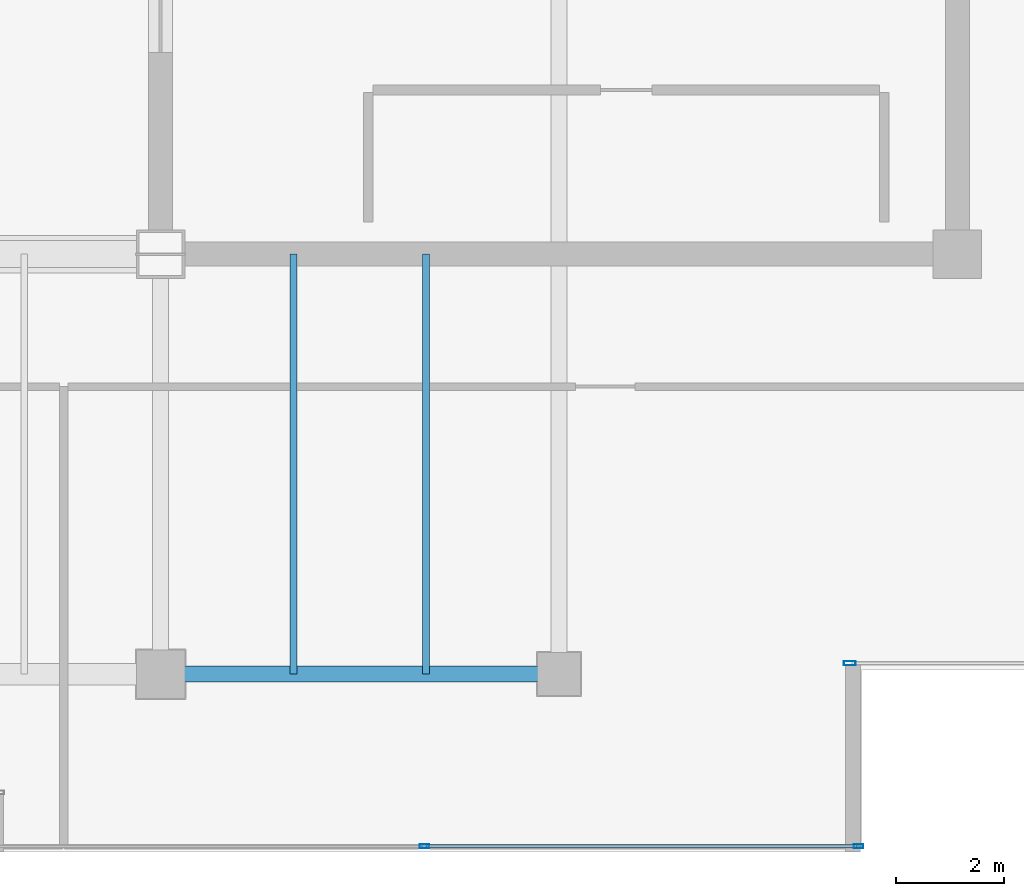
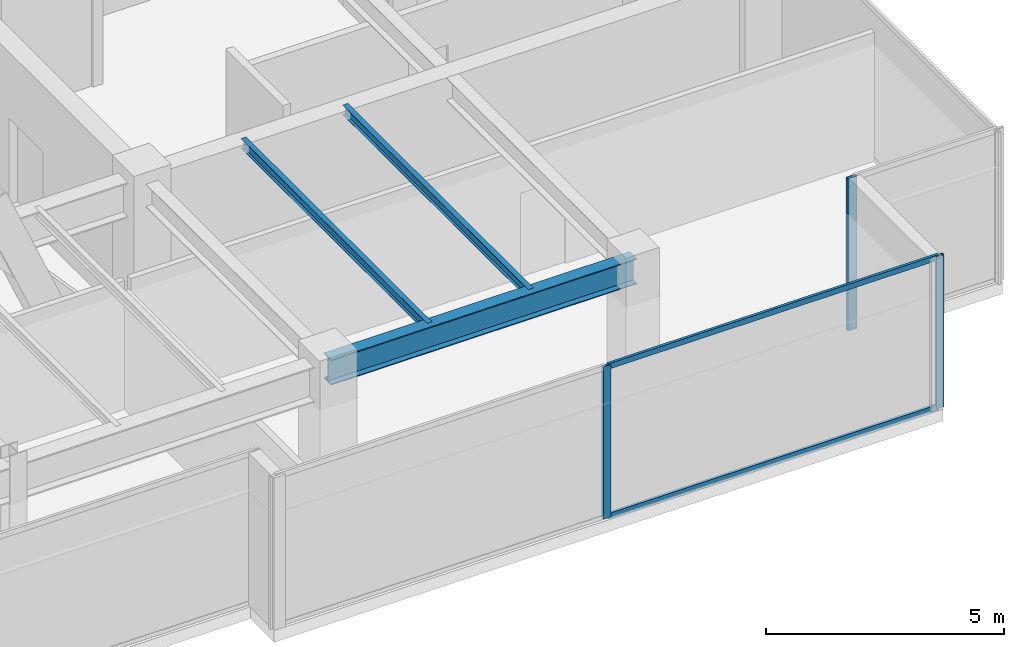
# One storey, part 13 of 32: 5 members, 3 beams, 2 elements without a shape of their own.
"""IFC4 building model written with IfcOpenShell, lengths in metres."""

from ifc_helpers import new_model, si_unit, direction, frame, origin, origin_2d, place, context, subcontext, project, spatial, hollow_rectangle, i_section, extrude, source, transform, mapped, material, layer, layer_set, material_profile, profile_set, type_object, type_shapes, element, aggregate, save


model = new_model("IFC4")

# Units and contexts
model_context = context("Model", 3, precision=1e-05, world=origin(), true_north=direction((0.0, 1.0)))
body_context = subcontext(model_context, "Body", "Model", "MODEL_VIEW")
ifc_project = project(units=[si_unit("LENGTHUNIT", "METRE"), si_unit("AREAUNIT", "SQUARE_METRE"), si_unit("VOLUMEUNIT", "CUBIC_METRE"), si_unit("PLANEANGLEUNIT", "RADIAN"), si_unit("MASSUNIT", "GRAM", prefix="KILO")], contexts=[model_context])

# Site, building, storey
site_placement = place(None, origin())
site = spatial("IfcSite", under=ifc_project, at=site_placement, CompositionType="ELEMENT")
building_placement = place(site_placement, origin())
building = spatial("IfcBuilding", under=site, at=building_placement, Name="Haelvirn Gate Laboratories", CompositionType="ELEMENT")
storey_placement = place(building_placement, frame((0.0, 0.0, 301.800048828125)))
storey = spatial("IfcBuildingStorey", under=building, at=storey_placement, Name="L72", CompositionType="ELEMENT", Elevation=301.800048828125)

# Beams
ifc_material_1 = material(Name="Steel SM355", Category="steel")
ifc_material_profile_1 = material_profile(ifc_material_1, i_section(OverallWidth=0.300048828125, OverallDepth=0.64990234375, WebThickness=0.012939453125, FlangeThickness=0.02197265625, at=origin_2d()), Name="H-650x300x13x22")
ifc_profile_set_1 = profile_set([ifc_material_profile_1], Name="Steel SM355")
beam_type_1 = type_object("IfcBeamType", Name="BM-G-650", PredefinedType="BEAM", material=ifc_profile_set_1)
shared_shape_1 = source(origin(), body_context, "Body", "SweptSolid", [
    extrude(i_section(OverallWidth=0.300048828125, OverallDepth=0.64990234375, WebThickness=0.012939453125, FlangeThickness=0.02197265625, at=origin_2d()), origin(), (0.0, 0.0, 1.0), 7.39990234375),
])
type_shapes(beam_type_1, [shared_shape_1])
beam_placement = place(storey_placement, frame((52.60009765625, 7.0, 3.574951171875), z_axis=(1.0, 0.0, 0.0), x_axis=(0.0, 1.0, 0.0)))
element("IfcBeam", 1, at=beam_placement, inside=storey, type_object=beam_type_1, Name="L72 Primary Girder Y7.0 (52.6-60.0)", PredefinedType="BEAM", context=body_context, shape_type="MappedRepresentation", body=[
    mapped(shared_shape_1, transform((0.0, 0.0, 0.0), scale=1.0)),
])
ifc_material_profile_2 = material_profile(ifc_material_1, i_section(OverallWidth=0.125, OverallDepth=0.25, WebThickness=0.006103515625, FlangeThickness=0.009033203125, at=origin_2d()), Name="H-250x125x6x9")
ifc_profile_set_2 = profile_set([ifc_material_profile_2], Name="Steel SM355")
beam_type_2 = type_object("IfcBeamType", Name="BM-J-250", PredefinedType="JOIST", material=ifc_profile_set_2)
shared_shape_2 = source(origin(), body_context, "Body", "SweptSolid", [
    extrude(i_section(OverallWidth=0.125, OverallDepth=0.25, WebThickness=0.006103515625, FlangeThickness=0.009033203125, at=origin_2d()), origin(), (0.0, 0.0, 1.0), 7.800048828125),
])
type_shapes(beam_type_2, [shared_shape_2])
for number, where, z_axis, x_axis, name in (
    (2, (55.070068359375, 7.0, 3.77490234375), (0.0, 1.0, 0.0), (-1.0, 0.0, 0.0), "L72 Composite Lab Joist South X55.07"),
    (3, (57.530029296875, 7.0, 3.77490234375), (0.0, 1.0, 0.0), (-1.0, 0.0, 0.0), "L72 Composite Lab Joist South X57.53"),
):
    element("IfcBeam", number, at=place(storey_placement, frame(where, z_axis=z_axis, x_axis=x_axis)), inside=storey, type_object=beam_type_2, Name=name, PredefinedType="JOIST", context=body_context, shape_type="MappedRepresentation", body=[
        mapped(shared_shape_2, transform((0.0, 0.0, 0.0), scale=1.0)),
    ])

# Curtain wall, members
ifc_material_2 = material(Name="Anodised bronze unitised aluminium & triple low-E glass", Category="aluminium")
ifc_layer_1 = layer(ifc_material_2, 0.176025390625, Name="CW-SYS-4")
ifc_layer_set_1 = layer_set([ifc_layer_1], Name="Anodised bronze unitised aluminium & triple low-E glass")
curtain_wall_type_1 = type_object("IfcCurtainWallType", Name="CW-SYS-4", PredefinedType="NOTDEFINED", material=ifc_layer_set_1)
curtain_wall_1_placement = place(storey_placement, origin())
curtain_wall_1 = element("IfcCurtainWall", 4, at=curtain_wall_1_placement, inside=storey, type_object=curtain_wall_type_1, Name="L72 Unitised Curtain Wall CW-L72-P0-E04-1", PredefinedType="NOTDEFINED")
ifc_material_3 = material(Name="Extruded aluminium 6063-T6 (anodised bronze)", Category="aluminium")
ifc_material_profile_3 = material_profile(ifc_material_3, hollow_rectangle(XDim=0.070068359375, YDim=0.179931640625, WallThickness=0.0048828125, at=origin_2d()), Name="CWM-180x70x5")
ifc_profile_set_3 = profile_set([ifc_material_profile_3], Name="Extruded aluminium 6063-T6 (anodised bronze)")
member_type_1 = type_object("IfcMemberType", Name="CWM-T180", PredefinedType="MULLION", material=ifc_profile_set_3)
shared_shape_3 = source(origin(), body_context, "Body", "SweptSolid", [
    extrude(hollow_rectangle(XDim=0.070068359375, YDim=0.179931640625, WallThickness=0.0048828125, at=origin_2d()), origin(), (0.0, 0.0, 1.0), 3.89990234375),
])
type_shapes(member_type_1, [shared_shape_3])
member_1_placement = place(storey_placement, frame((57.5, 3.800048828125, 0.0), z_axis=(0.0, 0.0, 1.0), x_axis=(0.0, 1.0, 0.0)))
member_1 = element("IfcMember", 5, at=member_1_placement, type_object=member_type_1, Name="CW4 mullion 2", PredefinedType="MULLION", context=body_context, shape_type="MappedRepresentation", body=[
    mapped(shared_shape_3, transform((0.0, 0.0, 0.0), scale=1.0)),
])
member_2_placement = place(storey_placement, frame((65.56494140625, 3.800048828125, 0.0), z_axis=(0.0, 0.0, 1.0), x_axis=(0.0, 1.0, 0.0)))
member_2 = element("IfcMember", 6, at=member_2_placement, type_object=member_type_1, Name="CW4 mullion 3", PredefinedType="MULLION", context=body_context, shape_type="MappedRepresentation", body=[
    mapped(shared_shape_3, transform((0.0, 0.0, 0.0), scale=1.0)),
])

# Curtain wall, member
ifc_layer_2 = layer(ifc_material_2, 0.181884765625, Name="CW-SYS-5")
ifc_layer_set_2 = layer_set([ifc_layer_2], Name="Anodised bronze unitised aluminium & triple low-E glass")
curtain_wall_type_2 = type_object("IfcCurtainWallType", Name="CW-SYS-5", PredefinedType="NOTDEFINED", material=ifc_layer_set_2)
curtain_wall_2_placement = place(storey_placement, origin())
curtain_wall_2 = element("IfcCurtainWall", 7, at=curtain_wall_2_placement, inside=storey, type_object=curtain_wall_type_2, Name="L72 Unitised Curtain Wall CW-L72-P0-E06-1", PredefinedType="NOTDEFINED")
ifc_material_profile_4 = material_profile(ifc_material_3, hollow_rectangle(XDim=0.080078125, YDim=0.219970703125, WallThickness=0.006103515625, at=origin_2d()), Name="CWM-220x80x6")
ifc_profile_set_4 = profile_set([ifc_material_profile_4], Name="Extruded aluminium 6063-T6 (anodised bronze)")
member_type_2 = type_object("IfcMemberType", Name="CWM-T220", PredefinedType="MULLION", material=ifc_profile_set_4)
shared_shape_4 = source(origin(), body_context, "Body", "SweptSolid", [
    extrude(hollow_rectangle(XDim=0.080078125, YDim=0.219970703125, WallThickness=0.006103515625, at=origin_2d()), origin(), (0.0, 0.0, 1.0), 3.89990234375),
])
type_shapes(member_type_2, [shared_shape_4])
member_3_placement = place(storey_placement, frame((65.39990234375, 7.199951171875, 0.0), z_axis=(0.0, 0.0, 1.0), x_axis=(0.0, 1.0, 0.0)))
member_3 = element("IfcMember", 8, at=member_3_placement, type_object=member_type_2, Name="CW5 mullion 1", PredefinedType="MULLION", context=body_context, shape_type="MappedRepresentation", body=[
    mapped(shared_shape_4, transform((0.0, 0.0, 0.0), scale=1.0)),
])
aggregate(curtain_wall_2, [member_3])

# Member
ifc_material_profile_5 = material_profile(ifc_material_3, hollow_rectangle(XDim=0.06494140625, YDim=0.139892578125, WallThickness=0.00390625, at=origin_2d()), Name="CWT-140x65x4")
ifc_profile_set_5 = profile_set([ifc_material_profile_5], Name="Extruded aluminium 6063-T6 (anodised bronze)")
member_type_3 = type_object("IfcMemberType", Name="CWT-T140", PredefinedType="USERDEFINED", material=ifc_profile_set_5)
shared_shape_5 = source(origin(), body_context, "Body", "SweptSolid", [
    extrude(hollow_rectangle(XDim=0.06494140625, YDim=0.139892578125, WallThickness=0.00390625, at=origin_2d()), origin(), (0.0, 0.0, 1.0), 7.9951171875),
])
type_shapes(member_type_3, [shared_shape_5])
member_4_placement = place(storey_placement, frame((57.534912109375, 3.800048828125, 0.032470703125), z_axis=(1.0, 0.0, 0.0), x_axis=(0.0, 1.0, 0.0)))
member_4 = element("IfcMember", 9, at=member_4_placement, type_object=member_type_3, Name="CW4 transom 2.1", ObjectType="TRANSOM", PredefinedType="USERDEFINED", context=body_context, shape_type="MappedRepresentation", body=[
    mapped(shared_shape_5, transform((0.0, 0.0, 0.0), scale=1.0)),
])

member_5_placement = place(storey_placement, frame((57.534912109375, 3.800048828125, 3.867431640625), z_axis=(1.0, 0.0, 0.0), x_axis=(0.0, 1.0, 0.0)))
member_5 = element("IfcMember", 10, at=member_5_placement, type_object=member_type_3, Name="CW4 transom 2.2", ObjectType="TRANSOM", PredefinedType="USERDEFINED", context=body_context, shape_type="MappedRepresentation", body=[
    mapped(shared_shape_5, transform((0.0, 0.0, 0.0), scale=1.0)),
])

aggregate(curtain_wall_1, [member_1, member_2, member_4, member_5])

save(model, "model.ifc")
